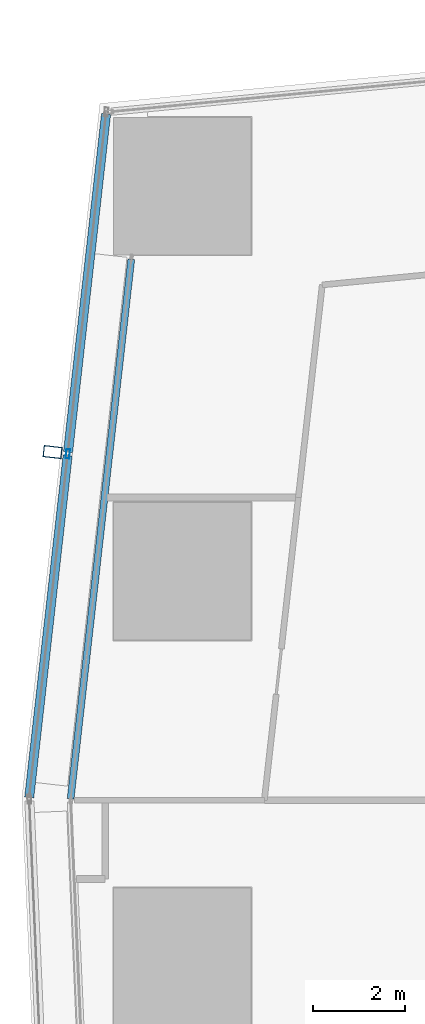
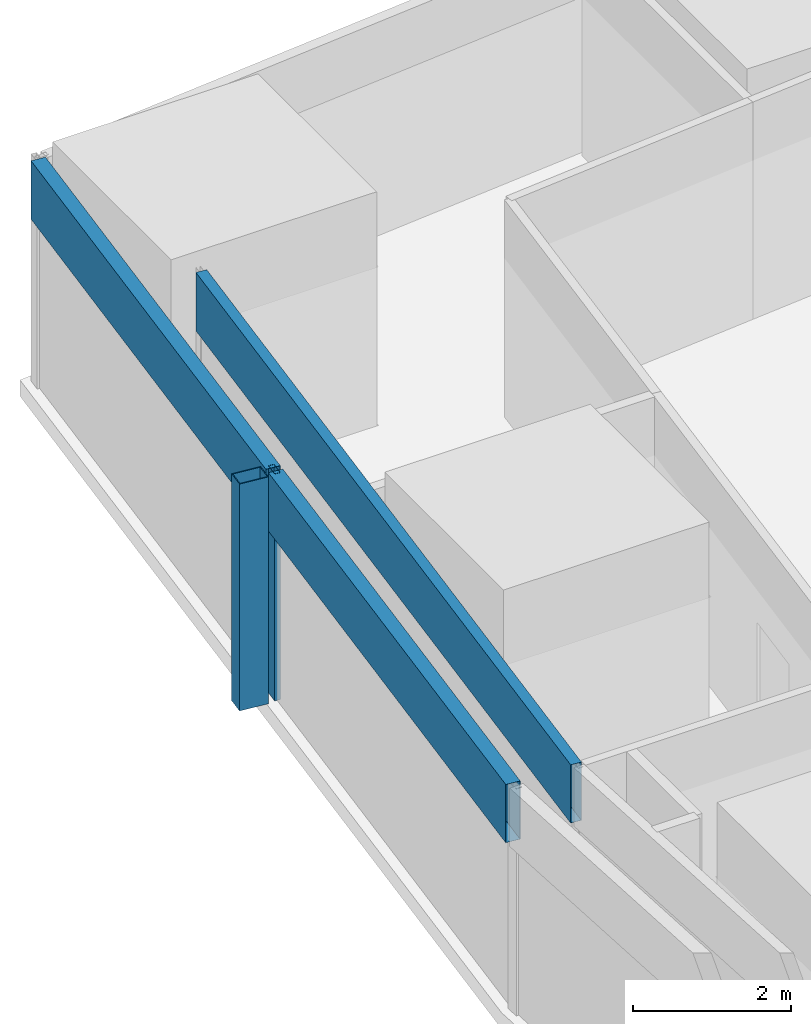
# One storey, part 15 of 45: 5 members, 2 elements without a shape of their own.
"""IFC4 building model written with IfcOpenShell, lengths in metres."""

from ifc_helpers import new_model, si_unit, direction, frame, origin, origin_2d, place, context, subcontext, project, spatial, hollow_rectangle, extrude, material, material_profile, profile_set, type_object, element, aggregate, save


model = new_model("IFC4")

# Units and contexts
model_context = context("Model", 3, precision=1e-05, world=origin(), true_north=direction((0.0, 1.0)))
body_context = subcontext(model_context, "Body", "Model", "MODEL_VIEW")
ifc_project = project(units=[si_unit("LENGTHUNIT", "METRE"), si_unit("AREAUNIT", "SQUARE_METRE"), si_unit("VOLUMEUNIT", "CUBIC_METRE"), si_unit("PLANEANGLEUNIT", "RADIAN"), si_unit("MASSUNIT", "GRAM", prefix="KILO")], contexts=[model_context])

# Site, building, storey
site_placement = place(None, origin())
site = spatial("IfcSite", under=ifc_project, at=site_placement, CompositionType="ELEMENT")
building_placement = place(site_placement, origin())
building = spatial("IfcBuilding", under=site, at=building_placement, Name="Rekha Terrace Tower", CompositionType="ELEMENT")
storey_placement = place(building_placement, frame((0.0, 0.0, 77.89990234375)))
storey = spatial("IfcBuildingStorey", under=building, at=storey_placement, Name="L19", CompositionType="ELEMENT", Elevation=77.89990234375)

# Curtain wall, member
ifc_material_1 = material(Name="Aluminium framing", Category="aluminium")
curtain_wall_type_1 = type_object("IfcCurtainWallType", Name="CW2 double skin outer glazing", PredefinedType="USERDEFINED", material=ifc_material_1)
curtain_wall_1_placement = place(storey_placement, origin())
curtain_wall_1 = element("IfcCurtainWall", 1, at=curtain_wall_1_placement, inside=storey, type_object=curtain_wall_type_1, Name="CW2 double skin outer glazing", ObjectType="DOUBLE SKIN OUTER GLAZING", PredefinedType="USERDEFINED")
ifc_material_2 = material(Name="Steel S355 with fluorocarbon finish", Category="steel")
ifc_material_profile_1 = material_profile(ifc_material_2, hollow_rectangle(XDim=0.25, YDim=0.39990234375, WallThickness=0.012451171875, at=origin_2d()), Name="RHS400x250x12.5")
ifc_profile_set_1 = profile_set([ifc_material_profile_1], Name="Steel S355 with fluorocarbon finish")
member_type_1 = type_object("IfcMemberType", Name="BL1 facade blade RHS 400 x 250", PredefinedType="USERDEFINED", material=ifc_profile_set_1)
member_1_placement = place(storey_placement, frame((5.569580078125, 53.001220703125, 0.0), z_axis=(0.0, 0.0, 1.0), x_axis=(-0.111729096216, -0.993738702607, 0.0)))
member_1 = element("IfcMember", 2, at=member_1_placement, type_object=member_type_1, Name="Facade blade", ObjectType="FACADE BLADE", PredefinedType="USERDEFINED", context=body_context, shape_type="SweptSolid", body=[
    extrude(hollow_rectangle(XDim=0.25, YDim=0.39990234375, WallThickness=0.012451171875, at=origin_2d()), origin(), (0.0, 0.0, 1.0), 3.5),
])

curtain_wall_type_2 = type_object("IfcCurtainWallType", Name="CW1 double skin inner glazing", PredefinedType="USERDEFINED", material=ifc_material_1)
curtain_wall_2_placement = place(storey_placement, origin())
curtain_wall_2 = element("IfcCurtainWall", 3, at=curtain_wall_2_placement, inside=storey, type_object=curtain_wall_type_2, Name="CW1 double skin inner glazing", ObjectType="DOUBLE SKIN INNER GLAZING", PredefinedType="USERDEFINED")
ifc_material_3 = material(Name="Insulated aluminium spandrel box", Category="aluminium")
ifc_material_profile_2 = material_profile(ifc_material_3, hollow_rectangle(XDim=0.14990234375, YDim=0.89990234375, WallThickness=0.0029296875, at=origin_2d()), Name="AL SPANDREL BOX 150x900")
ifc_profile_set_2 = profile_set([ifc_material_profile_2], Name="Insulated aluminium spandrel box")
member_type_2 = type_object("IfcMemberType", Name="CW1 spandrel transom 150 x 900", PredefinedType="USERDEFINED", material=ifc_profile_set_2)
member_2_placement = place(storey_placement, frame((7.284912109375, 57.204833984375, 3.050048828125), z_axis=(-0.111721948882, -0.993739506178, 0.0), x_axis=(0.993739506178, -0.111721948882, 0.0)))
member_2 = element("IfcMember", 4, at=member_2_placement, type_object=member_type_2, Name="CW1 spandrel transom 1", ObjectType="TRANSOM", PredefinedType="USERDEFINED", context=body_context, shape_type="SweptSolid", body=[
    extrude(hollow_rectangle(XDim=0.14990234375, YDim=0.89990234375, WallThickness=0.0029296875, at=origin_2d()), origin(), (0.0, 0.0, 1.0), 11.835205078125),
])
aggregate(curtain_wall_2, [member_2])

# Member
ifc_material_4 = material(Name="Aluminium mullion section", Category="aluminium")
ifc_material_profile_3 = material_profile(ifc_material_4, hollow_rectangle(XDim=0.080078125, YDim=0.199951171875, WallThickness=0.00390625, at=origin_2d()), Name="AL RHS 80x200")
ifc_profile_set_3 = profile_set([ifc_material_profile_3], Name="Aluminium mullion section")
member_type_3 = type_object("IfcMemberType", Name="CW2 mullion RHS 80 x 200", PredefinedType="MULLION", material=ifc_profile_set_3)
member_3_placement = place(storey_placement, frame((5.90234375, 52.9638671875, 0.0), z_axis=(0.0, 0.0, 1.0), x_axis=(0.99373861552, -0.111729870782, 0.0)))
member_3 = element("IfcMember", 5, at=member_3_placement, type_object=member_type_3, Name="CW2 mullion 2", PredefinedType="MULLION", context=body_context, shape_type="SweptSolid", body=[
    extrude(hollow_rectangle(XDim=0.080078125, YDim=0.199951171875, WallThickness=0.00390625, at=origin_2d()), origin(), (0.0, 0.0, 1.0), 3.5),
])

ifc_material_profile_4 = material_profile(ifc_material_3, hollow_rectangle(XDim=0.199951171875, YDim=0.89990234375, WallThickness=0.0029296875, at=origin_2d()), Name="AL SPANDREL BOX 200x900")
ifc_profile_set_4 = profile_set([ifc_material_profile_4], Name="Insulated aluminium spandrel box")
member_type_4 = type_object("IfcMemberType", Name="CW2 spandrel transom 200 x 900", PredefinedType="USERDEFINED", material=ifc_profile_set_4)
member_4_placement = place(storey_placement, frame((6.735595703125, 60.37353515625, 3.050048828125), z_axis=(-0.111728537773, -0.993738765394, 0.0), x_axis=(0.993738765394, -0.111728537773, 0.0)))
member_4 = element("IfcMember", 6, at=member_4_placement, type_object=member_type_4, Name="CW2 spandrel transom 1", ObjectType="TRANSOM", PredefinedType="USERDEFINED", context=body_context, shape_type="SweptSolid", body=[
    extrude(hollow_rectangle(XDim=0.199951171875, YDim=0.89990234375, WallThickness=0.0029296875, at=origin_2d()), origin(), (0.0, 0.0, 1.0), 7.416259765625),
])

member_5_placement = place(storey_placement, frame((5.89794921875, 52.924072265625, 3.050048828125), z_axis=(-0.111739697795, -0.993737510582, 0.0), x_axis=(0.993737510582, -0.111739697795, 0.0)))
member_5 = element("IfcMember", 7, at=member_5_placement, type_object=member_type_4, Name="CW2 spandrel transom 2", ObjectType="TRANSOM", PredefinedType="USERDEFINED", context=body_context, shape_type="SweptSolid", body=[
    extrude(hollow_rectangle(XDim=0.199951171875, YDim=0.89990234375, WallThickness=0.0029296875, at=origin_2d()), origin(), (0.0, 0.0, 1.0), 7.496337890625),
])

aggregate(curtain_wall_1, [member_3, member_4, member_5, member_1])

save(model, "model.ifc")
